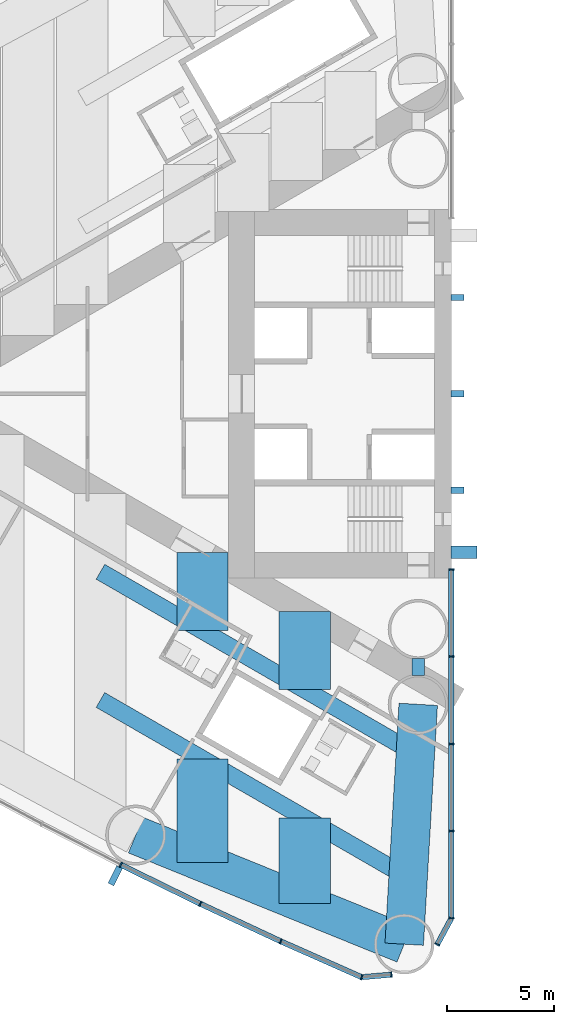
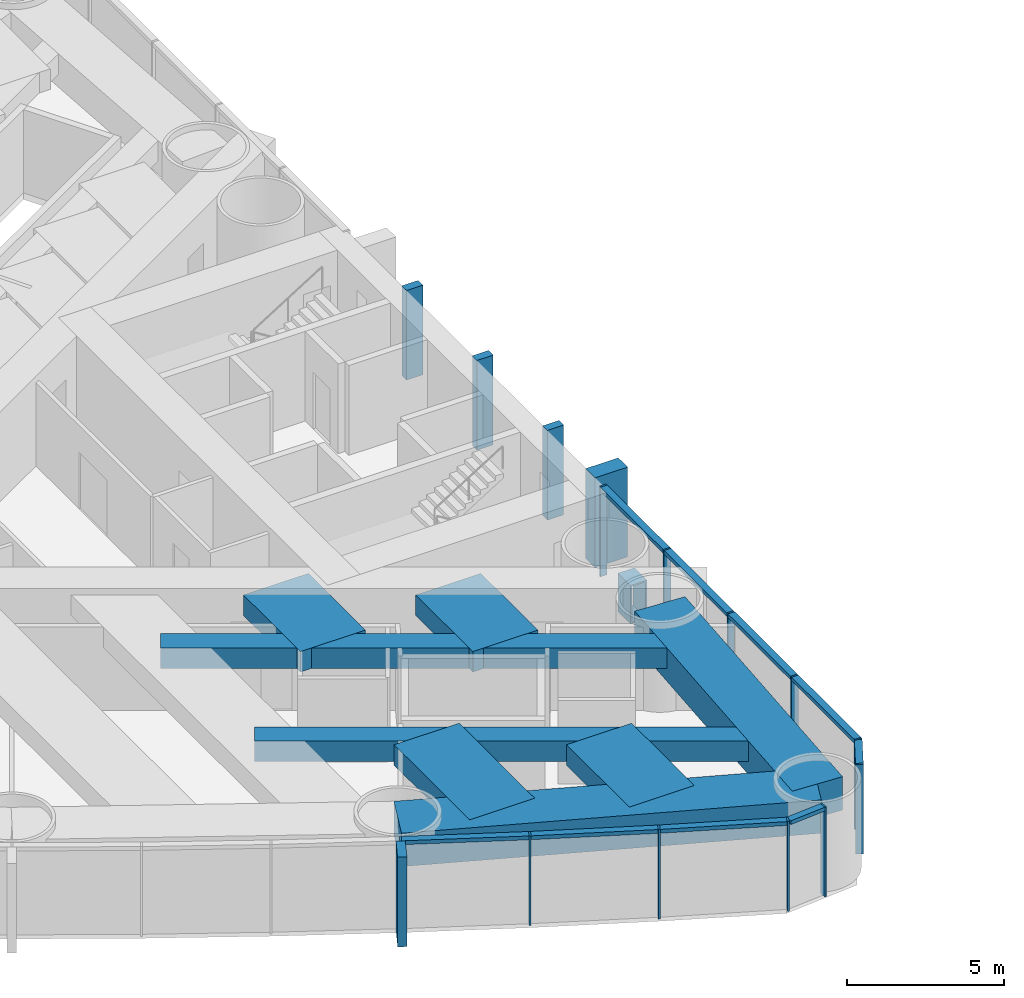
# One storey, part 3 of 19: 25 members, 9 beams, 2 elements without a shape of their own.
"""IFC4 building model written with IfcOpenShell, lengths in metres."""

from ifc_helpers import new_model, si_unit, direction, frame, origin, origin_2d, place, context, subcontext, project, spatial, rectangle, hollow_rectangle, extrude, material, material_profile, profile_set, type_object, element, aggregate, save


model = new_model("IFC4")

# Units and contexts
model_context = context("Model", 3, precision=1e-05, world=origin(), true_north=direction((0.0, 1.0)))
body_context = subcontext(model_context, "Body", "Model", "MODEL_VIEW")
ifc_project = project(units=[si_unit("LENGTHUNIT", "METRE"), si_unit("AREAUNIT", "SQUARE_METRE"), si_unit("VOLUMEUNIT", "CUBIC_METRE"), si_unit("PLANEANGLEUNIT", "RADIAN"), si_unit("MASSUNIT", "GRAM", prefix="KILO")], contexts=[model_context])

# Site, building, storey
site_placement = place(None, origin())
site = spatial("IfcSite", under=ifc_project, at=site_placement, CompositionType="ELEMENT")
building_placement = place(site_placement, origin())
building = spatial("IfcBuilding", under=site, at=building_placement, Name="Lancet Gate Hotel", CompositionType="ELEMENT")
storey_placement = place(building_placement, frame((0.0, 0.0, 67.0)))
storey = spatial("IfcBuildingStorey", under=building, at=storey_placement, Name="L17", CompositionType="ELEMENT", Elevation=67.0)

# Curtain wall, members
ifc_material_1 = material(Name="Aluminium curtain wall", Category="aluminium")
curtain_wall_type = type_object("IfcCurtainWallType", Name="Tower unitised curtain wall", PredefinedType="USERDEFINED", material=ifc_material_1)
curtain_wall_1_placement = place(storey_placement, origin())
curtain_wall_1 = element("IfcCurtainWall", 1, at=curtain_wall_1_placement, inside=storey, type_object=curtain_wall_type, Name="T1 L17 curtain wall 3", ObjectType="UNITISED CURTAIN WALL", PredefinedType="USERDEFINED")
ifc_material_2 = material(Name="Aluminium mullion", Category="aluminium")
ifc_material_profile_1 = material_profile(ifc_material_2, rectangle(XDim=0.06494140625, YDim=0.25, at=origin_2d()), Name="MULLION 65x250")
ifc_profile_set_1 = profile_set([ifc_material_profile_1], Name="Aluminium mullion")
member_type_1 = type_object("IfcMemberType", Name="Aluminium mullion 65x250", PredefinedType="MULLION", material=ifc_profile_set_1)
member_1_placement = place(storey_placement, frame((-42.94189453125, -21.991943359375, 0.0), z_axis=(0.0, 0.0, 1.0), x_axis=(0.893291549794, -0.449477704748, 0.0)))
member_1 = element("IfcMember", 2, at=member_1_placement, type_object=member_type_1, Name="T1 L17 curtain wall 3 mullion 11", PredefinedType="MULLION", context=body_context, shape_type="SweptSolid", body=[
    extrude(rectangle(XDim=0.06494140625, YDim=0.25, at=origin_2d()), origin(), (0.0, 0.0, 1.0), 3.5),
])
member_2_placement = place(storey_placement, frame((-39.225341796875, -23.816650390625, 0.0), z_axis=(0.0, 0.0, 1.0), x_axis=(0.901928838337, -0.431884672772, 0.0)))
member_2 = element("IfcMember", 3, at=member_2_placement, type_object=member_type_1, Name="T1 L17 curtain wall 3 mullion 12", PredefinedType="MULLION", context=body_context, shape_type="SweptSolid", body=[
    extrude(rectangle(XDim=0.06494140625, YDim=0.25, at=origin_2d()), origin(), (0.0, 0.0, 1.0), 3.5),
])
member_3_placement = place(storey_placement, frame((-35.473876953125, -25.568115234375, 0.0), z_axis=(0.0, 0.0, 1.0), x_axis=(0.910219680212, -0.414125746308, 0.0)))
member_3 = element("IfcMember", 4, at=member_3_placement, type_object=member_type_1, Name="T1 L17 curtain wall 3 mullion 13", PredefinedType="MULLION", context=body_context, shape_type="SweptSolid", body=[
    extrude(rectangle(XDim=0.06494140625, YDim=0.25, at=origin_2d()), origin(), (0.0, 0.0, 1.0), 3.5),
])
member_4_placement = place(storey_placement, frame((-31.688720703125, -27.24560546875, 0.0), z_axis=(0.0, 0.0, 1.0), x_axis=(0.957524354695, -0.288352406209, 0.0)))
member_4 = element("IfcMember", 5, at=member_4_placement, type_object=member_type_1, Name="T1 L17 curtain wall 3 mullion 14", PredefinedType="MULLION", context=body_context, shape_type="SweptSolid", body=[
    extrude(rectangle(XDim=0.06494140625, YDim=0.25, at=origin_2d()), origin(), (0.0, 0.0, 1.0), 3.5),
])
member_5_placement = place(storey_placement, frame((-30.3046875, -27.124755859375, 0.0), z_axis=(0.0, 0.0, 1.0), x_axis=(0.99620380374, 0.087051602022, 0.0)))
member_5 = element("IfcMember", 6, at=member_5_placement, type_object=member_type_1, Name="T1 L17 curtain wall 3 mullion 15", PredefinedType="MULLION", context=body_context, shape_type="SweptSolid", body=[
    extrude(rectangle(XDim=0.06494140625, YDim=0.25, at=origin_2d()), origin(), (0.0, 0.0, 1.0), 3.5),
])

curtain_wall_2_placement = place(storey_placement, origin())
curtain_wall_2 = element("IfcCurtainWall", 7, at=curtain_wall_2_placement, inside=storey, type_object=curtain_wall_type, Name="T1 L17 curtain wall 4", ObjectType="UNITISED CURTAIN WALL", PredefinedType="USERDEFINED")
member_6_placement = place(storey_placement, frame((-28.158935546875, -25.712890625, 0.0), z_axis=(0.0, 0.0, 1.0), x_axis=(0.474631040972, 0.880184852714, 0.0)))
member_6 = element("IfcMember", 8, at=member_6_placement, type_object=member_type_1, Name="T1 L17 curtain wall 4 mullion 1", PredefinedType="MULLION", context=body_context, shape_type="SweptSolid", body=[
    extrude(rectangle(XDim=0.06494140625, YDim=0.25, at=origin_2d()), origin(), (0.0, 0.0, 1.0), 3.5),
])
member_7_placement = place(storey_placement, frame((-27.5, -24.4912109375, 0.0), z_axis=(0.0, 0.0, 1.0), x_axis=(0.123482502544, 0.992346749662, 0.0)))
member_7 = element("IfcMember", 9, at=member_7_placement, type_object=member_type_1, Name="T1 L17 curtain wall 4 mullion 2", PredefinedType="MULLION", context=body_context, shape_type="SweptSolid", body=[
    extrude(rectangle(XDim=0.06494140625, YDim=0.25, at=origin_2d()), origin(), (0.0, 0.0, 1.0), 3.5),
])
member_8_placement = place(storey_placement, frame((-27.5, -20.41845703125, 0.0), z_axis=(0.0, 0.0, 1.0), x_axis=(0.0, 1.0, 0.0)))
member_8 = element("IfcMember", 10, at=member_8_placement, type_object=member_type_1, Name="T1 L17 curtain wall 4 mullion 3", PredefinedType="MULLION", context=body_context, shape_type="SweptSolid", body=[
    extrude(rectangle(XDim=0.06494140625, YDim=0.25, at=origin_2d()), origin(), (0.0, 0.0, 1.0), 3.5),
])
member_9_placement = place(storey_placement, frame((-27.5, -16.345703125, 0.0), z_axis=(0.0, 0.0, 1.0), x_axis=(0.0, 1.0, 0.0)))
member_9 = element("IfcMember", 11, at=member_9_placement, type_object=member_type_1, Name="T1 L17 curtain wall 4 mullion 4", PredefinedType="MULLION", context=body_context, shape_type="SweptSolid", body=[
    extrude(rectangle(XDim=0.06494140625, YDim=0.25, at=origin_2d()), origin(), (0.0, 0.0, 1.0), 3.5),
])
member_10_placement = place(storey_placement, frame((-27.5, -12.272705078125, 0.0), z_axis=(0.0, 0.0, 1.0), x_axis=(0.0, 1.0, 0.0)))
member_10 = element("IfcMember", 12, at=member_10_placement, type_object=member_type_1, Name="T1 L17 curtain wall 4 mullion 5", PredefinedType="MULLION", context=body_context, shape_type="SweptSolid", body=[
    extrude(rectangle(XDim=0.06494140625, YDim=0.25, at=origin_2d()), origin(), (0.0, 0.0, 1.0), 3.5),
])
member_11_placement = place(storey_placement, frame((-27.5, -8.199951171875, 0.0), z_axis=(0.0, 0.0, 1.0), x_axis=(0.0, 1.0, 0.0)))
member_11 = element("IfcMember", 13, at=member_11_placement, type_object=member_type_1, Name="T1 L17 curtain wall 4 mullion 6", PredefinedType="MULLION", context=body_context, shape_type="SweptSolid", body=[
    extrude(rectangle(XDim=0.06494140625, YDim=0.25, at=origin_2d()), origin(), (0.0, 0.0, 1.0), 3.5),
])

# Member
ifc_material_3 = material(Name="Aluminium transom", Category="aluminium")
ifc_material_profile_2 = material_profile(ifc_material_3, rectangle(XDim=0.25, YDim=0.14990234375, at=origin_2d()), Name="TRANSOM 250x150")
ifc_profile_set_2 = profile_set([ifc_material_profile_2], Name="Aluminium transom")
member_type_2 = type_object("IfcMemberType", Name="Aluminium transom 250x150", PredefinedType="USERDEFINED", material=ifc_profile_set_2)
member_12_placement = place(storey_placement, frame((-42.912841796875, -22.00634765625, 3.425048828125), z_axis=(0.897662439958, -0.440683723194, 0.0), x_axis=(0.440683723194, 0.897662439958, 0.0)))
member_12 = element("IfcMember", 14, at=member_12_placement, type_object=member_type_2, Name="T1 L17 curtain wall 3 transom 11", ObjectType="TRANSOM", PredefinedType="USERDEFINED", context=body_context, shape_type="SweptSolid", body=[
    extrude(rectangle(XDim=0.25, YDim=0.14990234375, at=origin_2d()), origin(), (0.0, 0.0, 1.0), 4.0751953125),
])

member_13_placement = place(storey_placement, frame((-39.196044921875, -23.830322265625, 3.425048828125), z_axis=(0.906109667261, -0.423042871228, 0.0), x_axis=(0.423042871228, 0.906109667261, 0.0)))
member_13 = element("IfcMember", 15, at=member_13_placement, type_object=member_type_2, Name="T1 L17 curtain wall 3 transom 12", ObjectType="TRANSOM", PredefinedType="USERDEFINED", context=body_context, shape_type="SweptSolid", body=[
    extrude(rectangle(XDim=0.25, YDim=0.14990234375, at=origin_2d()), origin(), (0.0, 0.0, 1.0), 4.075439453125),
])

member_14_placement = place(storey_placement, frame((-35.444091796875, -25.581298828125, 3.425048828125), z_axis=(0.914248281954, -0.405154389022, 0.0), x_axis=(0.405154389022, 0.914248281954, 0.0)))
member_14 = element("IfcMember", 16, at=member_14_placement, type_object=member_type_2, Name="T1 L17 curtain wall 3 transom 13", ObjectType="TRANSOM", PredefinedType="USERDEFINED", context=body_context, shape_type="SweptSolid", body=[
    extrude(rectangle(XDim=0.25, YDim=0.14990234375, at=origin_2d()), origin(), (0.0, 0.0, 1.0), 4.0751953125),
])

member_15_placement = place(storey_placement, frame((-31.65625, -27.242919921875, 3.425048828125), z_axis=(0.99620591587, 0.087027427779, 0.0), x_axis=(-0.087027427779, 0.99620591587, 0.0)))
member_15 = element("IfcMember", 17, at=member_15_placement, type_object=member_type_2, Name="T1 L17 curtain wall 3 transom 14", ObjectType="TRANSOM", PredefinedType="USERDEFINED", context=body_context, shape_type="SweptSolid", body=[
    extrude(rectangle(XDim=0.25, YDim=0.14990234375, at=origin_2d()), origin(), (0.0, 0.0, 1.0), 1.32421875),
])

member_16_placement = place(storey_placement, frame((-28.143310546875, -25.684326171875, 3.425048828125), z_axis=(0.474605926905, 0.880198394765, 0.0), x_axis=(-0.880198394765, 0.474605926905, 0.0)))
member_16 = element("IfcMember", 18, at=member_16_placement, type_object=member_type_2, Name="T1 L17 curtain wall 4 transom 1", ObjectType="TRANSOM", PredefinedType="USERDEFINED", context=body_context, shape_type="SweptSolid", body=[
    extrude(rectangle(XDim=0.25, YDim=0.14990234375, at=origin_2d()), origin(), (0.0, 0.0, 1.0), 1.322998046875),
])

member_17_placement = place(storey_placement, frame((-27.5, -24.458740234375, 3.425048828125), z_axis=(0.0, 1.0, 0.0), x_axis=(-1.0, 0.0, 0.0)))
member_17 = element("IfcMember", 19, at=member_17_placement, type_object=member_type_2, Name="T1 L17 curtain wall 4 transom 2", ObjectType="TRANSOM", PredefinedType="USERDEFINED", context=body_context, shape_type="SweptSolid", body=[
    extrude(rectangle(XDim=0.25, YDim=0.14990234375, at=origin_2d()), origin(), (0.0, 0.0, 1.0), 4.0078125),
])

member_18_placement = place(storey_placement, frame((-27.5, -20.385986328125, 3.425048828125), z_axis=(0.0, 1.0, 0.0), x_axis=(-1.0, 0.0, 0.0)))
member_18 = element("IfcMember", 20, at=member_18_placement, type_object=member_type_2, Name="T1 L17 curtain wall 4 transom 3", ObjectType="TRANSOM", PredefinedType="USERDEFINED", context=body_context, shape_type="SweptSolid", body=[
    extrude(rectangle(XDim=0.25, YDim=0.14990234375, at=origin_2d()), origin(), (0.0, 0.0, 1.0), 4.0078125),
])

member_19_placement = place(storey_placement, frame((-27.5, -16.31298828125, 3.425048828125), z_axis=(0.0, 1.0, 0.0), x_axis=(-1.0, 0.0, 0.0)))
member_19 = element("IfcMember", 21, at=member_19_placement, type_object=member_type_2, Name="T1 L17 curtain wall 4 transom 4", ObjectType="TRANSOM", PredefinedType="USERDEFINED", context=body_context, shape_type="SweptSolid", body=[
    extrude(rectangle(XDim=0.25, YDim=0.14990234375, at=origin_2d()), origin(), (0.0, 0.0, 1.0), 4.0078125),
])

member_20_placement = place(storey_placement, frame((-27.5, -12.240234375, 3.425048828125), z_axis=(0.0, 1.0, 0.0), x_axis=(-1.0, 0.0, 0.0)))
member_20 = element("IfcMember", 22, at=member_20_placement, type_object=member_type_2, Name="T1 L17 curtain wall 4 transom 5", ObjectType="TRANSOM", PredefinedType="USERDEFINED", context=body_context, shape_type="SweptSolid", body=[
    extrude(rectangle(XDim=0.25, YDim=0.14990234375, at=origin_2d()), origin(), (0.0, 0.0, 1.0), 4.0078125),
])

aggregate(curtain_wall_2, [member_6, member_7, member_8, member_9, member_10, member_11, member_16, member_17, member_18, member_19, member_20])

# Beams
ifc_material_4 = material(Name="Concrete C50/60", Category="concrete")
ifc_material_profile_3 = material_profile(ifc_material_4, rectangle(XDim=1.800048828125, YDim=1.300048828125, at=origin_2d()), Name="RC 1800x1300")
ifc_profile_set_3 = profile_set([ifc_material_profile_3], Name="Concrete C50/60")
beam_type_1 = type_object("IfcBeamType", Name="Edge beam RC 1800x1300", PredefinedType="SPANDREL", material=ifc_profile_set_3)
beam_1_placement = place(storey_placement, frame((-42.2451171875, -20.607421875, 2.60009765625), z_axis=(0.926463236197, -0.376385270667, 0.0), x_axis=(0.376385270667, 0.926463236197, 0.0)))
element("IfcBeam", 23, at=beam_1_placement, inside=storey, type_object=beam_type_1, Name="T1 edge beam EB1 L17", PredefinedType="SPANDREL", context=body_context, shape_type="SweptSolid", body=[
    extrude(rectangle(XDim=1.800048828125, YDim=1.300048828125, at=origin_2d()), origin(), (0.0, 0.0, 1.0), 13.537353515625),
])
beam_2_placement = place(storey_placement, frame((-29.050048828125, -14.5, 2.60009765625), z_axis=(-0.058219521912, -0.998303805096, 0.0), x_axis=(0.998303805096, -0.058219521912, 0.0)))
element("IfcBeam", 24, at=beam_2_placement, inside=storey, type_object=beam_type_1, Name="T1 edge beam EB1 L17", PredefinedType="SPANDREL", context=body_context, shape_type="SweptSolid", body=[
    extrude(rectangle(XDim=1.800048828125, YDim=1.300048828125, at=origin_2d()), origin(), (0.0, 0.0, 1.0), 11.2216796875),
])

# Member
ifc_material_5 = material(Name="Concrete C60/75", Category="concrete")
ifc_material_profile_4 = material_profile(ifc_material_5, rectangle(XDim=0.60009765625, YDim=1.199951171875, at=origin_2d()), Name="FIN 600x1200")
ifc_profile_set_4 = profile_set([ifc_material_profile_4], Name="Concrete C60/75")
member_type_3 = type_object("IfcMemberType", Name="Exposed concrete buttress pilaster 600x1200", PredefinedType="USERDEFINED", material=ifc_profile_set_4)
member_21_placement = place(storey_placement, frame((-26.909912109375, -7.39990234375, 0.0), z_axis=(0.0, 0.0, 1.0), x_axis=(0.0, 1.0, 0.0)))
element("IfcMember", 25, at=member_21_placement, inside=storey, type_object=member_type_3, Name="T1 buttress pilaster N L17", ObjectType="FIN", PredefinedType="USERDEFINED", context=body_context, shape_type="SweptSolid", body=[
    extrude(rectangle(XDim=0.60009765625, YDim=1.199951171875, at=origin_2d()), origin(), (0.0, 0.0, 1.0), 3.5),
])

ifc_material_6 = material(Name="Precast concrete C50/60", Category="concrete")
ifc_material_profile_5 = material_profile(ifc_material_6, rectangle(XDim=0.300048828125, YDim=0.89990234375, at=origin_2d()), Name="FIN 300x900")
ifc_profile_set_5 = profile_set([ifc_material_profile_5], Name="Precast concrete C50/60")
member_type_4 = type_object("IfcMemberType", Name="Exposed concrete fin 300x900", PredefinedType="USERDEFINED", material=ifc_profile_set_5)
member_22_placement = place(storey_placement, frame((-43.200439453125, -22.505615234375, 0.0), z_axis=(0.0, 0.0, 1.0), x_axis=(0.893291549794, -0.449477704748, 0.0)))
member_22 = element("IfcMember", 26, at=member_22_placement, type_object=member_type_4, Name="T1 L17 curtain wall 3 fin 11", ObjectType="FIN", PredefinedType="USERDEFINED", context=body_context, shape_type="SweptSolid", body=[
    extrude(rectangle(XDim=0.300048828125, YDim=0.89990234375, at=origin_2d()), origin(), (0.0, 0.0, 1.0), 3.5),
])

aggregate(curtain_wall_1, [member_1, member_22, member_2, member_3, member_4, member_5, member_12, member_13, member_14, member_15])

# Members
ifc_material_7 = material(Name="Concrete C60/75", Category="concrete")
ifc_material_profile_6 = material_profile(ifc_material_7, rectangle(XDim=0.300048828125, YDim=0.60009765625, at=origin_2d()), Name="FIN 300x600")
ifc_profile_set_6 = profile_set([ifc_material_profile_6], Name="Concrete C60/75")
member_type_5 = type_object("IfcMemberType", Name="Exposed concrete rib 300x600", PredefinedType="USERDEFINED", material=ifc_profile_set_6)
for number, where, z_axis, x_axis, name in (
    (27, (-27.2099609375, 4.5, 0.0), (0.0, 0.0, 1.0), (0.0, 1.0, 0.0), "T1 core rib 1 L17"),
    (28, (-27.2099609375, 0.0, 0.0), (0.0, 0.0, 1.0), (0.0, 1.0, 0.0), "T1 core rib 2 L17"),
    (29, (-27.2099609375, -4.5, 0.0), (0.0, 0.0, 1.0), (0.0, 1.0, 0.0), "T1 core rib 3 L17"),
):
    element("IfcMember", number, at=place(storey_placement, frame(where, z_axis=z_axis, x_axis=x_axis)), inside=storey, type_object=member_type_5, Name=name, ObjectType="FIN", PredefinedType="USERDEFINED", context=body_context, shape_type="SweptSolid", body=[
        extrude(rectangle(XDim=0.300048828125, YDim=0.60009765625, at=origin_2d()), origin(), (0.0, 0.0, 1.0), 3.5),
    ])

# Beams
ifc_material_8 = material(Name="Concrete C50/60", Category="concrete")
ifc_material_profile_7 = material_profile(ifc_material_8, rectangle(XDim=2.39990234375, YDim=0.800048828125, at=origin_2d()), Name="RC 2400x800")
ifc_profile_set_7 = profile_set([ifc_material_profile_7], Name="Concrete C50/60")
beam_type_2 = type_object("IfcBeamType", Name="Floor beam RC 2400x800", PredefinedType="BEAM", material=ifc_profile_set_7)
beam_3_placement = place(storey_placement, frame((-34.353515625, -10.169921875, 2.85009765625), z_axis=(0.0, -1.0, 0.0), x_axis=(1.0, 0.0, 0.0)))
element("IfcBeam", 30, at=beam_3_placement, inside=storey, type_object=beam_type_2, Name="T1 floor beam F03NA L17", PredefinedType="BEAM", context=body_context, shape_type="SweptSolid", body=[
    extrude(rectangle(XDim=2.39990234375, YDim=0.800048828125, at=origin_2d()), origin(), (0.0, 0.0, 1.0), 3.645751953125),
])
beam_4_placement = place(storey_placement, frame((-34.353515625, -19.802978515625, 2.85009765625), z_axis=(0.0, -1.0, 0.0), x_axis=(1.0, 0.0, 0.0)))
element("IfcBeam", 31, at=beam_4_placement, inside=storey, type_object=beam_type_2, Name="T1 floor beam F03NB L17", PredefinedType="BEAM", context=body_context, shape_type="SweptSolid", body=[
    extrude(rectangle(XDim=2.39990234375, YDim=0.800048828125, at=origin_2d()), origin(), (0.0, 0.0, 1.0), 4.010498046875),
])
beam_5_placement = place(storey_placement, frame((-39.122314453125, -7.41650390625, 2.85009765625), z_axis=(0.0, -1.0, 0.0), x_axis=(1.0, 0.0, 0.0)))
element("IfcBeam", 32, at=beam_5_placement, inside=storey, type_object=beam_type_2, Name="T1 floor beam F06NA L17", PredefinedType="BEAM", context=body_context, shape_type="SweptSolid", body=[
    extrude(rectangle(XDim=2.39990234375, YDim=0.800048828125, at=origin_2d()), origin(), (0.0, 0.0, 1.0), 3.64599609375),
])
beam_6_placement = place(storey_placement, frame((-39.122314453125, -17.0498046875, 2.85009765625), z_axis=(0.0, -1.0, 0.0), x_axis=(1.0, 0.0, 0.0)))
element("IfcBeam", 33, at=beam_6_placement, inside=storey, type_object=beam_type_2, Name="T1 floor beam F06NB L17", PredefinedType="BEAM", context=body_context, shape_type="SweptSolid", body=[
    extrude(rectangle(XDim=2.39990234375, YDim=0.800048828125, at=origin_2d()), origin(), (0.0, 0.0, 1.0), 4.826416015625),
])
ifc_material_9 = material(Name="Steel S460QL", Category="steel")
ifc_material_profile_8 = material_profile(ifc_material_9, hollow_rectangle(XDim=0.60009765625, YDim=1.5, WallThickness=0.050048828125, at=origin_2d()), Name="BOX 1500x600x50")
ifc_profile_set_8 = profile_set([ifc_material_profile_8], Name="Steel S460QL")
beam_type_3 = type_object("IfcBeamType", Name="Inner-face link beam BOX 1500x600x50", PredefinedType="BEAM", material=ifc_profile_set_8)
beam_7_placement = place(storey_placement, frame((-29.050048828125, -12.35009765625, 2.5), z_axis=(0.0, -1.0, 0.0), x_axis=(1.0, 0.0, 0.0)))
element("IfcBeam", 34, at=beam_7_placement, inside=storey, type_object=beam_type_3, Name="T1 inner-face link beam LK1 L17", PredefinedType="BEAM", context=body_context, shape_type="SweptSolid", body=[
    extrude(hollow_rectangle(XDim=0.60009765625, YDim=1.5, WallThickness=0.050048828125, at=origin_2d()), origin(), (0.0, 0.0, 1.0), 0.7998046875),
])
ifc_material_10 = material(Name="Steel S460QL", Category="steel")
ifc_material_profile_9 = material_profile(ifc_material_10, hollow_rectangle(XDim=0.800048828125, YDim=0.800048828125, WallThickness=0.080078125, at=origin_2d()), Name="BOX 800x800x80")
ifc_profile_set_9 = profile_set([ifc_material_profile_9], Name="Steel S460QL")
beam_type_4 = type_object("IfcBeamType", Name="Trimmer beam BOX 800x800x80", PredefinedType="BEAM", material=ifc_profile_set_9)
for number, where, z_axis, x_axis, name in (
    (35, (-29.58447265625, -22.55615234375, 2.85009765625), (-0.866040141834, 0.49997447208, 0.0), (-0.49997447208, -0.866040141834, 0.0), "T1 trimmer beam TR03N L17"),
    (36, (-29.58447265625, -16.56884765625, 2.85009765625), (-0.866040141834, 0.49997447208, 0.0), (-0.49997447208, -0.866040141834, 0.0), "T1 trimmer beam TR04N L17"),
):
    element("IfcBeam", number, at=place(storey_placement, frame(where, z_axis=z_axis, x_axis=x_axis)), inside=storey, type_object=beam_type_4, Name=name, PredefinedType="BEAM", context=body_context, shape_type="SweptSolid", body=[
        extrude(hollow_rectangle(XDim=0.800048828125, YDim=0.800048828125, WallThickness=0.080078125, at=origin_2d()), origin(), (0.0, 0.0, 1.0), 16.519775390625),
    ])

save(model, "model.ifc")
